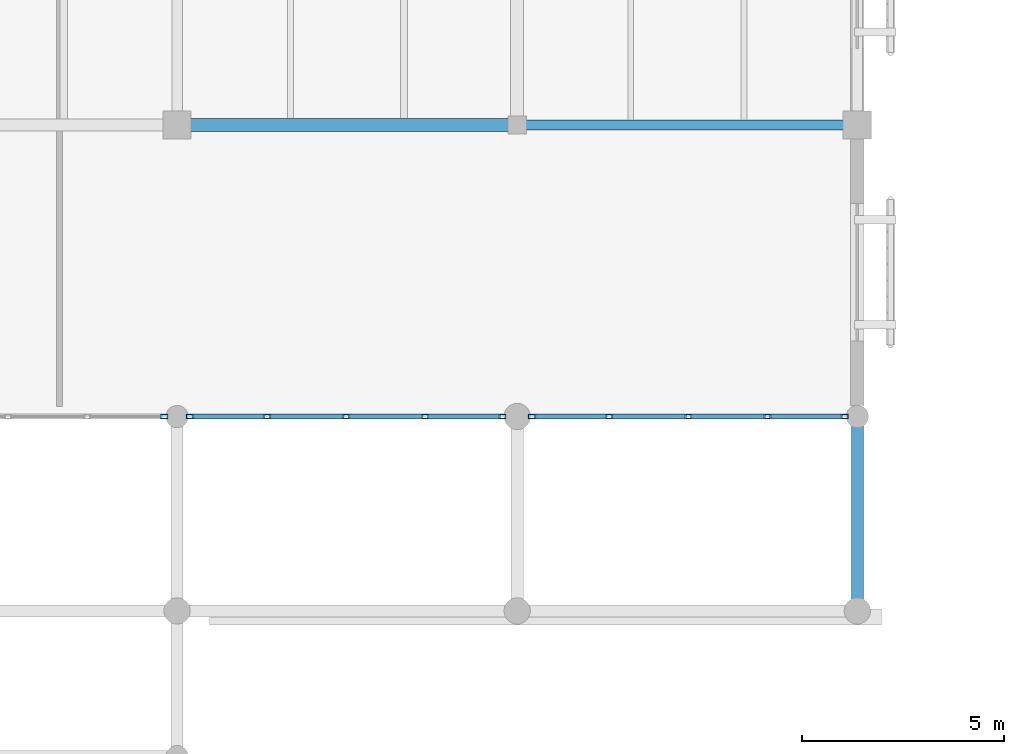
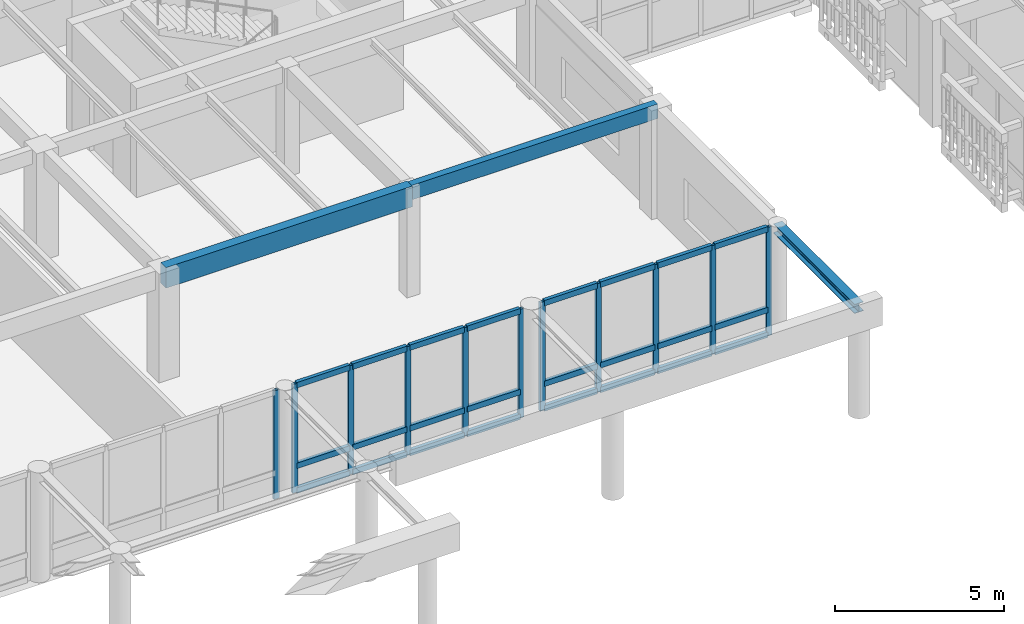
# One storey, part 46 of 170: 35 members, 3 beams, 3 elements without a shape of their own.
"""IFC4 building model written with IfcOpenShell, lengths in metres."""

from ifc_helpers import new_model, si_unit, direction, frame, origin, origin_2d, place, context, subcontext, project, spatial, rectangle, hollow_rectangle, i_section, extrude, material, layer, layer_set, material_profile, profile_set, type_object, element, aggregate, save


model = new_model("IFC4")

# Units and contexts
model_context = context("Model", 3, precision=1e-05, world=origin(), true_north=direction((0.0, 1.0)))
body_context = subcontext(model_context, "Body", "Model", "MODEL_VIEW")
ifc_project = project(units=[si_unit("LENGTHUNIT", "METRE"), si_unit("AREAUNIT", "SQUARE_METRE"), si_unit("VOLUMEUNIT", "CUBIC_METRE"), si_unit("PLANEANGLEUNIT", "RADIAN"), si_unit("MASSUNIT", "GRAM", prefix="KILO")], contexts=[model_context])

# Site, building, storey
site_placement = place(None, origin())
site = spatial("IfcSite", under=ifc_project, at=site_placement, CompositionType="ELEMENT")
building_placement = place(site_placement, origin())
building = spatial("IfcBuilding", under=site, at=building_placement, Name="Mazaris Harbour Polytechnic", CompositionType="ELEMENT")
storey_placement = place(building_placement, frame((0.0, 0.0, 5.39990234375)))
storey = spatial("IfcBuildingStorey", under=building, at=storey_placement, Name="L01", CompositionType="ELEMENT", Elevation=5.39990234375)

# Curtain wall, member
ifc_material_1 = material(Name="Anodised Bronze Aluminium and Low-E Glass", Category="aluminium")
ifc_layer = layer(ifc_material_1, 0.179931640625, Name="Anodised Bronze Aluminium and Low-E Glass")
ifc_layer_set = layer_set([ifc_layer], Name="Anodised Bronze Aluminium and Low-E Glass")
curtain_wall_type = type_object("IfcCurtainWallType", Name="Harbour Colonnade Curtain Wall", PredefinedType="NOTDEFINED", material=ifc_layer_set)
curtain_wall_1_placement = place(storey_placement, origin())
curtain_wall_1 = element("IfcCurtainWall", 1, at=curtain_wall_1_placement, inside=storey, type_object=curtain_wall_type, Name="V3 L01 Curtain Wall 72", PredefinedType="NOTDEFINED")
ifc_material_2 = material(Name="Anodised Bronze Steel S355", Category="steel")
ifc_material_profile_1 = material_profile(ifc_material_2, hollow_rectangle(XDim=0.10009765625, YDim=0.179931640625, WallThickness=0.008056640625, at=origin_2d()), Name="RHS 100x180x8.0")
ifc_profile_set_1 = profile_set([ifc_material_profile_1], Name="Anodised Bronze Steel S355")
member_type_1 = type_object("IfcMemberType", Name="Curtain Mullion RHS100x180", PredefinedType="MULLION", material=ifc_profile_set_1)
member_1_placement = place(storey_placement, frame((95.68310546875, 7.199951171875, 0.0), z_axis=(0.0, 0.0, 1.0), x_axis=(0.0, -1.0, 0.0)))
member_1 = element("IfcMember", 2, at=member_1_placement, type_object=member_type_1, Name="CW-01 mullion 1", PredefinedType="MULLION", context=body_context, shape_type="SweptSolid", body=[
    extrude(hollow_rectangle(XDim=0.10009765625, YDim=0.179931640625, WallThickness=0.008056640625, at=origin_2d()), origin(), (0.0, 0.0, 1.0), 3.920166015625),
])
aggregate(curtain_wall_1, [member_1])

# Curtain wall, members
curtain_wall_2_placement = place(storey_placement, origin())
curtain_wall_2 = element("IfcCurtainWall", 3, at=curtain_wall_2_placement, inside=storey, type_object=curtain_wall_type, Name="V3 L01 Curtain Wall 73", PredefinedType="NOTDEFINED")
member_2_placement = place(storey_placement, frame((104.032958984375, 7.199951171875, 0.0), z_axis=(0.0, 0.0, 1.0), x_axis=(0.0, -1.0, 0.0)))
member_2 = element("IfcMember", 4, at=member_2_placement, type_object=member_type_1, Name="CW-01 mullion 1", PredefinedType="MULLION", context=body_context, shape_type="SweptSolid", body=[
    extrude(hollow_rectangle(XDim=0.10009765625, YDim=0.179931640625, WallThickness=0.008056640625, at=origin_2d()), origin(), (0.0, 0.0, 1.0), 3.920166015625),
])
member_3_placement = place(storey_placement, frame((102.12890625, 7.199951171875, 0.0), z_axis=(0.0, 0.0, 1.0), x_axis=(0.0, -1.0, 0.0)))
member_3 = element("IfcMember", 5, at=member_3_placement, type_object=member_type_1, Name="CW-01 mullion 2", PredefinedType="MULLION", context=body_context, shape_type="SweptSolid", body=[
    extrude(hollow_rectangle(XDim=0.10009765625, YDim=0.179931640625, WallThickness=0.008056640625, at=origin_2d()), origin(), (0.0, 0.0, 1.0), 3.920166015625),
])
member_4_placement = place(storey_placement, frame((100.175048828125, 7.199951171875, 0.0), z_axis=(0.0, 0.0, 1.0), x_axis=(0.0, -1.0, 0.0)))
member_4 = element("IfcMember", 6, at=member_4_placement, type_object=member_type_1, Name="CW-01 mullion 3", PredefinedType="MULLION", context=body_context, shape_type="SweptSolid", body=[
    extrude(hollow_rectangle(XDim=0.10009765625, YDim=0.179931640625, WallThickness=0.008056640625, at=origin_2d()), origin(), (0.0, 0.0, 1.0), 3.920166015625),
])
member_5_placement = place(storey_placement, frame((98.220947265625, 7.199951171875, 0.0), z_axis=(0.0, 0.0, 1.0), x_axis=(0.0, -1.0, 0.0)))
member_5 = element("IfcMember", 7, at=member_5_placement, type_object=member_type_1, Name="CW-01 mullion 4", PredefinedType="MULLION", context=body_context, shape_type="SweptSolid", body=[
    extrude(hollow_rectangle(XDim=0.10009765625, YDim=0.179931640625, WallThickness=0.008056640625, at=origin_2d()), origin(), (0.0, 0.0, 1.0), 3.920166015625),
])
member_6_placement = place(storey_placement, frame((96.31689453125, 7.199951171875, 0.0), z_axis=(0.0, 0.0, 1.0), x_axis=(0.0, -1.0, 0.0)))
member_6 = element("IfcMember", 8, at=member_6_placement, type_object=member_type_1, Name="CW-01 mullion 5", PredefinedType="MULLION", context=body_context, shape_type="SweptSolid", body=[
    extrude(hollow_rectangle(XDim=0.10009765625, YDim=0.179931640625, WallThickness=0.008056640625, at=origin_2d()), origin(), (0.0, 0.0, 1.0), 3.920166015625),
])

curtain_wall_3_placement = place(storey_placement, origin())
curtain_wall_3 = element("IfcCurtainWall", 9, at=curtain_wall_3_placement, inside=storey, type_object=curtain_wall_type, Name="V3 L01 Curtain Wall 74", PredefinedType="NOTDEFINED")
member_7_placement = place(storey_placement, frame((112.48291015625, 7.199951171875, 0.0), z_axis=(0.0, 0.0, 1.0), x_axis=(0.0, -1.0, 0.0)))
member_7 = element("IfcMember", 10, at=member_7_placement, type_object=member_type_1, Name="CW-01 mullion 1", PredefinedType="MULLION", context=body_context, shape_type="SweptSolid", body=[
    extrude(hollow_rectangle(XDim=0.10009765625, YDim=0.179931640625, WallThickness=0.008056640625, at=origin_2d()), origin(), (0.0, 0.0, 1.0), 3.920166015625),
])
member_8_placement = place(storey_placement, frame((110.5791015625, 7.199951171875, 0.0), z_axis=(0.0, 0.0, 1.0), x_axis=(0.0, -1.0, 0.0)))
member_8 = element("IfcMember", 11, at=member_8_placement, type_object=member_type_1, Name="CW-01 mullion 2", PredefinedType="MULLION", context=body_context, shape_type="SweptSolid", body=[
    extrude(hollow_rectangle(XDim=0.10009765625, YDim=0.179931640625, WallThickness=0.008056640625, at=origin_2d()), origin(), (0.0, 0.0, 1.0), 3.920166015625),
])
member_9_placement = place(storey_placement, frame((108.625, 7.199951171875, 0.0), z_axis=(0.0, 0.0, 1.0), x_axis=(0.0, -1.0, 0.0)))
member_9 = element("IfcMember", 12, at=member_9_placement, type_object=member_type_1, Name="CW-01 mullion 3", PredefinedType="MULLION", context=body_context, shape_type="SweptSolid", body=[
    extrude(hollow_rectangle(XDim=0.10009765625, YDim=0.179931640625, WallThickness=0.008056640625, at=origin_2d()), origin(), (0.0, 0.0, 1.0), 3.920166015625),
])
member_10_placement = place(storey_placement, frame((106.6708984375, 7.199951171875, 0.0), z_axis=(0.0, 0.0, 1.0), x_axis=(0.0, -1.0, 0.0)))
member_10 = element("IfcMember", 13, at=member_10_placement, type_object=member_type_1, Name="CW-01 mullion 4", PredefinedType="MULLION", context=body_context, shape_type="SweptSolid", body=[
    extrude(hollow_rectangle(XDim=0.10009765625, YDim=0.179931640625, WallThickness=0.008056640625, at=origin_2d()), origin(), (0.0, 0.0, 1.0), 3.920166015625),
])
member_11_placement = place(storey_placement, frame((104.76708984375, 7.199951171875, 0.0), z_axis=(0.0, 0.0, 1.0), x_axis=(0.0, -1.0, 0.0)))
member_11 = element("IfcMember", 14, at=member_11_placement, type_object=member_type_1, Name="CW-01 mullion 5", PredefinedType="MULLION", context=body_context, shape_type="SweptSolid", body=[
    extrude(hollow_rectangle(XDim=0.10009765625, YDim=0.179931640625, WallThickness=0.008056640625, at=origin_2d()), origin(), (0.0, 0.0, 1.0), 3.920166015625),
])

# Member
ifc_material_3 = material(Name="Anodised Bronze Steel S355", Category="steel")
ifc_material_profile_2 = material_profile(ifc_material_3, hollow_rectangle(XDim=0.1201171875, YDim=0.199951171875, WallThickness=0.008056640625, at=origin_2d()), Name="RHS 120x200x8.0")
ifc_profile_set_2 = profile_set([ifc_material_profile_2], Name="Anodised Bronze Steel S355")
member_type_2 = type_object("IfcMemberType", Name="Curtain Transom RHS120x200", PredefinedType="USERDEFINED", material=ifc_profile_set_2)
member_12_placement = place(storey_placement, frame((103.98291015625, 7.199951171875, 0.06005859375), z_axis=(-1.0, 0.0, 0.0), x_axis=(0.0, -1.0, 0.0)))
member_12 = element("IfcMember", 15, at=member_12_placement, type_object=member_type_2, Name="CW-01 transom 1.1", ObjectType="TRANSOM", PredefinedType="USERDEFINED", context=body_context, shape_type="SweptSolid", body=[
    extrude(hollow_rectangle(XDim=0.1201171875, YDim=0.199951171875, WallThickness=0.008056640625, at=origin_2d()), origin(), (0.0, 0.0, 1.0), 1.803955078125),
])

member_13_placement = place(storey_placement, frame((103.98291015625, 7.199951171875, 0.9501953125), z_axis=(-1.0, 0.0, 0.0), x_axis=(0.0, -1.0, 0.0)))
member_13 = element("IfcMember", 16, at=member_13_placement, type_object=member_type_2, Name="CW-01 transom 1.2", ObjectType="TRANSOM", PredefinedType="USERDEFINED", context=body_context, shape_type="SweptSolid", body=[
    extrude(hollow_rectangle(XDim=0.1201171875, YDim=0.199951171875, WallThickness=0.008056640625, at=origin_2d()), origin(), (0.0, 0.0, 1.0), 1.803955078125),
])

member_14_placement = place(storey_placement, frame((103.98291015625, 7.199951171875, 3.860107421875), z_axis=(-1.0, 0.0, 0.0), x_axis=(0.0, -1.0, 0.0)))
member_14 = element("IfcMember", 17, at=member_14_placement, type_object=member_type_2, Name="CW-01 transom 1.3", ObjectType="TRANSOM", PredefinedType="USERDEFINED", context=body_context, shape_type="SweptSolid", body=[
    extrude(hollow_rectangle(XDim=0.1201171875, YDim=0.199951171875, WallThickness=0.008056640625, at=origin_2d()), origin(), (0.0, 0.0, 1.0), 1.803955078125),
])

member_15_placement = place(storey_placement, frame((102.0791015625, 7.199951171875, 0.06005859375), z_axis=(-1.0, 0.0, 0.0), x_axis=(0.0, -1.0, 0.0)))
member_15 = element("IfcMember", 18, at=member_15_placement, type_object=member_type_2, Name="CW-01 transom 2.1", ObjectType="TRANSOM", PredefinedType="USERDEFINED", context=body_context, shape_type="SweptSolid", body=[
    extrude(hollow_rectangle(XDim=0.1201171875, YDim=0.199951171875, WallThickness=0.008056640625, at=origin_2d()), origin(), (0.0, 0.0, 1.0), 1.85400390625),
])

member_16_placement = place(storey_placement, frame((102.0791015625, 7.199951171875, 0.9501953125), z_axis=(-1.0, 0.0, 0.0), x_axis=(0.0, -1.0, 0.0)))
member_16 = element("IfcMember", 19, at=member_16_placement, type_object=member_type_2, Name="CW-01 transom 2.2", ObjectType="TRANSOM", PredefinedType="USERDEFINED", context=body_context, shape_type="SweptSolid", body=[
    extrude(hollow_rectangle(XDim=0.1201171875, YDim=0.199951171875, WallThickness=0.008056640625, at=origin_2d()), origin(), (0.0, 0.0, 1.0), 1.85400390625),
])

member_17_placement = place(storey_placement, frame((102.0791015625, 7.199951171875, 3.860107421875), z_axis=(-1.0, 0.0, 0.0), x_axis=(0.0, -1.0, 0.0)))
member_17 = element("IfcMember", 20, at=member_17_placement, type_object=member_type_2, Name="CW-01 transom 2.3", ObjectType="TRANSOM", PredefinedType="USERDEFINED", context=body_context, shape_type="SweptSolid", body=[
    extrude(hollow_rectangle(XDim=0.1201171875, YDim=0.199951171875, WallThickness=0.008056640625, at=origin_2d()), origin(), (0.0, 0.0, 1.0), 1.85400390625),
])

member_18_placement = place(storey_placement, frame((100.125, 7.199951171875, 0.06005859375), z_axis=(-1.0, 0.0, 0.0), x_axis=(0.0, -1.0, 0.0)))
member_18 = element("IfcMember", 21, at=member_18_placement, type_object=member_type_2, Name="CW-01 transom 3.1", ObjectType="TRANSOM", PredefinedType="USERDEFINED", context=body_context, shape_type="SweptSolid", body=[
    extrude(hollow_rectangle(XDim=0.1201171875, YDim=0.199951171875, WallThickness=0.008056640625, at=origin_2d()), origin(), (0.0, 0.0, 1.0), 1.85400390625),
])

member_19_placement = place(storey_placement, frame((100.125, 7.199951171875, 0.9501953125), z_axis=(-1.0, 0.0, 0.0), x_axis=(0.0, -1.0, 0.0)))
member_19 = element("IfcMember", 22, at=member_19_placement, type_object=member_type_2, Name="CW-01 transom 3.2", ObjectType="TRANSOM", PredefinedType="USERDEFINED", context=body_context, shape_type="SweptSolid", body=[
    extrude(hollow_rectangle(XDim=0.1201171875, YDim=0.199951171875, WallThickness=0.008056640625, at=origin_2d()), origin(), (0.0, 0.0, 1.0), 1.85400390625),
])

member_20_placement = place(storey_placement, frame((100.125, 7.199951171875, 3.860107421875), z_axis=(-1.0, 0.0, 0.0), x_axis=(0.0, -1.0, 0.0)))
member_20 = element("IfcMember", 23, at=member_20_placement, type_object=member_type_2, Name="CW-01 transom 3.3", ObjectType="TRANSOM", PredefinedType="USERDEFINED", context=body_context, shape_type="SweptSolid", body=[
    extrude(hollow_rectangle(XDim=0.1201171875, YDim=0.199951171875, WallThickness=0.008056640625, at=origin_2d()), origin(), (0.0, 0.0, 1.0), 1.85400390625),
])

member_21_placement = place(storey_placement, frame((98.1708984375, 7.199951171875, 0.06005859375), z_axis=(-1.0, 0.0, 0.0), x_axis=(0.0, -1.0, 0.0)))
member_21 = element("IfcMember", 24, at=member_21_placement, type_object=member_type_2, Name="CW-01 transom 4.1", ObjectType="TRANSOM", PredefinedType="USERDEFINED", context=body_context, shape_type="SweptSolid", body=[
    extrude(hollow_rectangle(XDim=0.1201171875, YDim=0.199951171875, WallThickness=0.008056640625, at=origin_2d()), origin(), (0.0, 0.0, 1.0), 1.803955078125),
])

member_22_placement = place(storey_placement, frame((98.1708984375, 7.199951171875, 0.9501953125), z_axis=(-1.0, 0.0, 0.0), x_axis=(0.0, -1.0, 0.0)))
member_22 = element("IfcMember", 25, at=member_22_placement, type_object=member_type_2, Name="CW-01 transom 4.2", ObjectType="TRANSOM", PredefinedType="USERDEFINED", context=body_context, shape_type="SweptSolid", body=[
    extrude(hollow_rectangle(XDim=0.1201171875, YDim=0.199951171875, WallThickness=0.008056640625, at=origin_2d()), origin(), (0.0, 0.0, 1.0), 1.803955078125),
])

member_23_placement = place(storey_placement, frame((98.1708984375, 7.199951171875, 3.860107421875), z_axis=(-1.0, 0.0, 0.0), x_axis=(0.0, -1.0, 0.0)))
member_23 = element("IfcMember", 26, at=member_23_placement, type_object=member_type_2, Name="CW-01 transom 4.3", ObjectType="TRANSOM", PredefinedType="USERDEFINED", context=body_context, shape_type="SweptSolid", body=[
    extrude(hollow_rectangle(XDim=0.1201171875, YDim=0.199951171875, WallThickness=0.008056640625, at=origin_2d()), origin(), (0.0, 0.0, 1.0), 1.803955078125),
])

aggregate(curtain_wall_2, [member_2, member_3, member_4, member_5, member_6, member_12, member_13, member_14, member_15, member_16, member_17, member_18, member_19, member_20, member_21, member_22, member_23])

member_24_placement = place(storey_placement, frame((112.43310546875, 7.199951171875, 0.06005859375), z_axis=(-1.0, 0.0, 0.0), x_axis=(0.0, -1.0, 0.0)))
member_24 = element("IfcMember", 27, at=member_24_placement, type_object=member_type_2, Name="CW-01 transom 1.1", ObjectType="TRANSOM", PredefinedType="USERDEFINED", context=body_context, shape_type="SweptSolid", body=[
    extrude(hollow_rectangle(XDim=0.1201171875, YDim=0.199951171875, WallThickness=0.008056640625, at=origin_2d()), origin(), (0.0, 0.0, 1.0), 1.80419921875),
])

member_25_placement = place(storey_placement, frame((112.43310546875, 7.199951171875, 0.9501953125), z_axis=(-1.0, 0.0, 0.0), x_axis=(0.0, -1.0, 0.0)))
member_25 = element("IfcMember", 28, at=member_25_placement, type_object=member_type_2, Name="CW-01 transom 1.2", ObjectType="TRANSOM", PredefinedType="USERDEFINED", context=body_context, shape_type="SweptSolid", body=[
    extrude(hollow_rectangle(XDim=0.1201171875, YDim=0.199951171875, WallThickness=0.008056640625, at=origin_2d()), origin(), (0.0, 0.0, 1.0), 1.80419921875),
])

member_26_placement = place(storey_placement, frame((112.43310546875, 7.199951171875, 3.860107421875), z_axis=(-1.0, 0.0, 0.0), x_axis=(0.0, -1.0, 0.0)))
member_26 = element("IfcMember", 29, at=member_26_placement, type_object=member_type_2, Name="CW-01 transom 1.3", ObjectType="TRANSOM", PredefinedType="USERDEFINED", context=body_context, shape_type="SweptSolid", body=[
    extrude(hollow_rectangle(XDim=0.1201171875, YDim=0.199951171875, WallThickness=0.008056640625, at=origin_2d()), origin(), (0.0, 0.0, 1.0), 1.80419921875),
])

member_27_placement = place(storey_placement, frame((110.529052734375, 7.199951171875, 0.06005859375), z_axis=(-1.0, 0.0, 0.0), x_axis=(0.0, -1.0, 0.0)))
member_27 = element("IfcMember", 30, at=member_27_placement, type_object=member_type_2, Name="CW-01 transom 2.1", ObjectType="TRANSOM", PredefinedType="USERDEFINED", context=body_context, shape_type="SweptSolid", body=[
    extrude(hollow_rectangle(XDim=0.1201171875, YDim=0.199951171875, WallThickness=0.008056640625, at=origin_2d()), origin(), (0.0, 0.0, 1.0), 1.85400390625),
])

member_28_placement = place(storey_placement, frame((110.529052734375, 7.199951171875, 0.9501953125), z_axis=(-1.0, 0.0, 0.0), x_axis=(0.0, -1.0, 0.0)))
member_28 = element("IfcMember", 31, at=member_28_placement, type_object=member_type_2, Name="CW-01 transom 2.2", ObjectType="TRANSOM", PredefinedType="USERDEFINED", context=body_context, shape_type="SweptSolid", body=[
    extrude(hollow_rectangle(XDim=0.1201171875, YDim=0.199951171875, WallThickness=0.008056640625, at=origin_2d()), origin(), (0.0, 0.0, 1.0), 1.85400390625),
])

member_29_placement = place(storey_placement, frame((110.529052734375, 7.199951171875, 3.860107421875), z_axis=(-1.0, 0.0, 0.0), x_axis=(0.0, -1.0, 0.0)))
member_29 = element("IfcMember", 32, at=member_29_placement, type_object=member_type_2, Name="CW-01 transom 2.3", ObjectType="TRANSOM", PredefinedType="USERDEFINED", context=body_context, shape_type="SweptSolid", body=[
    extrude(hollow_rectangle(XDim=0.1201171875, YDim=0.199951171875, WallThickness=0.008056640625, at=origin_2d()), origin(), (0.0, 0.0, 1.0), 1.85400390625),
])

member_30_placement = place(storey_placement, frame((108.574951171875, 7.199951171875, 0.06005859375), z_axis=(-1.0, 0.0, 0.0), x_axis=(0.0, -1.0, 0.0)))
member_30 = element("IfcMember", 33, at=member_30_placement, type_object=member_type_2, Name="CW-01 transom 3.1", ObjectType="TRANSOM", PredefinedType="USERDEFINED", context=body_context, shape_type="SweptSolid", body=[
    extrude(hollow_rectangle(XDim=0.1201171875, YDim=0.199951171875, WallThickness=0.008056640625, at=origin_2d()), origin(), (0.0, 0.0, 1.0), 1.85400390625),
])

member_31_placement = place(storey_placement, frame((108.574951171875, 7.199951171875, 0.9501953125), z_axis=(-1.0, 0.0, 0.0), x_axis=(0.0, -1.0, 0.0)))
member_31 = element("IfcMember", 34, at=member_31_placement, type_object=member_type_2, Name="CW-01 transom 3.2", ObjectType="TRANSOM", PredefinedType="USERDEFINED", context=body_context, shape_type="SweptSolid", body=[
    extrude(hollow_rectangle(XDim=0.1201171875, YDim=0.199951171875, WallThickness=0.008056640625, at=origin_2d()), origin(), (0.0, 0.0, 1.0), 1.85400390625),
])

member_32_placement = place(storey_placement, frame((108.574951171875, 7.199951171875, 3.860107421875), z_axis=(-1.0, 0.0, 0.0), x_axis=(0.0, -1.0, 0.0)))
member_32 = element("IfcMember", 35, at=member_32_placement, type_object=member_type_2, Name="CW-01 transom 3.3", ObjectType="TRANSOM", PredefinedType="USERDEFINED", context=body_context, shape_type="SweptSolid", body=[
    extrude(hollow_rectangle(XDim=0.1201171875, YDim=0.199951171875, WallThickness=0.008056640625, at=origin_2d()), origin(), (0.0, 0.0, 1.0), 1.85400390625),
])

member_33_placement = place(storey_placement, frame((106.62109375, 7.199951171875, 0.06005859375), z_axis=(-1.0, 0.0, 0.0), x_axis=(0.0, -1.0, 0.0)))
member_33 = element("IfcMember", 36, at=member_33_placement, type_object=member_type_2, Name="CW-01 transom 4.1", ObjectType="TRANSOM", PredefinedType="USERDEFINED", context=body_context, shape_type="SweptSolid", body=[
    extrude(hollow_rectangle(XDim=0.1201171875, YDim=0.199951171875, WallThickness=0.008056640625, at=origin_2d()), origin(), (0.0, 0.0, 1.0), 1.80419921875),
])

member_34_placement = place(storey_placement, frame((106.62109375, 7.199951171875, 0.9501953125), z_axis=(-1.0, 0.0, 0.0), x_axis=(0.0, -1.0, 0.0)))
member_34 = element("IfcMember", 37, at=member_34_placement, type_object=member_type_2, Name="CW-01 transom 4.2", ObjectType="TRANSOM", PredefinedType="USERDEFINED", context=body_context, shape_type="SweptSolid", body=[
    extrude(hollow_rectangle(XDim=0.1201171875, YDim=0.199951171875, WallThickness=0.008056640625, at=origin_2d()), origin(), (0.0, 0.0, 1.0), 1.80419921875),
])

member_35_placement = place(storey_placement, frame((106.62109375, 7.199951171875, 3.860107421875), z_axis=(-1.0, 0.0, 0.0), x_axis=(0.0, -1.0, 0.0)))
member_35 = element("IfcMember", 38, at=member_35_placement, type_object=member_type_2, Name="CW-01 transom 4.3", ObjectType="TRANSOM", PredefinedType="USERDEFINED", context=body_context, shape_type="SweptSolid", body=[
    extrude(hollow_rectangle(XDim=0.1201171875, YDim=0.199951171875, WallThickness=0.008056640625, at=origin_2d()), origin(), (0.0, 0.0, 1.0), 1.80419921875),
])

aggregate(curtain_wall_3, [member_7, member_8, member_9, member_10, member_11, member_24, member_25, member_26, member_27, member_28, member_29, member_30, member_31, member_32, member_33, member_34, member_35])

# Beams
ifc_material_4 = material(Name="Glulam GL32h", Category="wood")
ifc_material_profile_3 = material_profile(ifc_material_4, rectangle(XDim=0.239990234375, YDim=0.52001953125, at=origin_2d()), Name="RECT240x520")
ifc_profile_set_3 = profile_set([ifc_material_profile_3], Name="Glulam GL32h")
beam_type_1 = type_object("IfcBeamType", Name="Glulam Girder 240x520 Exterior", PredefinedType="BEAM", material=ifc_profile_set_3)
beam_1_placement = place(storey_placement, frame((104.39990234375, 14.39990234375, 3.66015625), z_axis=(1.0, 0.0, 0.0), x_axis=(0.0, 1.0, 0.0)))
element("IfcBeam", 39, at=beam_1_placement, inside=storey, type_object=beam_type_1, Name="V3 L01 Girder 975", PredefinedType="BEAM", context=body_context, shape_type="SweptSolid", body=[
    extrude(rectangle(XDim=0.239990234375, YDim=0.52001953125, at=origin_2d()), origin(), (0.0, 0.0, 1.0), 8.400146484375),
])
ifc_material_5 = material(Name="Glulam GL32h", Category="wood")
ifc_material_profile_4 = material_profile(ifc_material_5, rectangle(XDim=0.320068359375, YDim=0.739990234375, at=origin_2d()), Name="RECT320x740")
ifc_profile_set_4 = profile_set([ifc_material_profile_4], Name="Glulam GL32h")
beam_type_2 = type_object("IfcBeamType", Name="Glulam Girder 320x740 Exterior", PredefinedType="BEAM", material=ifc_profile_set_4)
beam_2_placement = place(storey_placement, frame((96.0, 14.39990234375, 3.550048828125), z_axis=(1.0, 0.0, 0.0), x_axis=(0.0, 1.0, 0.0)))
element("IfcBeam", 40, at=beam_2_placement, inside=storey, type_object=beam_type_2, Name="V3 L01 Girder 974", PredefinedType="BEAM", context=body_context, shape_type="SweptSolid", body=[
    extrude(rectangle(XDim=0.320068359375, YDim=0.739990234375, at=origin_2d()), origin(), (0.0, 0.0, 1.0), 8.39990234375),
])
ifc_material_6 = material(Name="Steel S355", Category="steel")
ifc_material_profile_5 = material_profile(ifc_material_6, i_section(OverallWidth=0.300048828125, OverallDepth=0.330078125, WebThickness=0.009521484375, FlangeThickness=0.0166015625, FilletRadius=0.027099609375, at=origin_2d()), Name="HEA 340")
ifc_profile_set_5 = profile_set([ifc_material_profile_5], Name="Steel S355")
beam_type_3 = type_object("IfcBeamType", Name="Steel Beam HEA340 Exterior", PredefinedType="BEAM", material=ifc_profile_set_5)
beam_3_placement = place(storey_placement, frame((112.800048828125, 2.39990234375, 3.780029296875), z_axis=(0.0, 1.0, 0.0), x_axis=(-1.0, 0.0, 0.0)))
element("IfcBeam", 41, at=beam_3_placement, inside=storey, type_object=beam_type_3, Name="Colonnade Cross Beam 3488", PredefinedType="BEAM", context=body_context, shape_type="SweptSolid", body=[
    extrude(i_section(OverallWidth=0.300048828125, OverallDepth=0.330078125, WebThickness=0.009521484375, FlangeThickness=0.0166015625, FilletRadius=0.027099609375, at=origin_2d()), origin(), (0.0, 0.0, 1.0), 4.800048828125),
])

save(model, "model.ifc")
